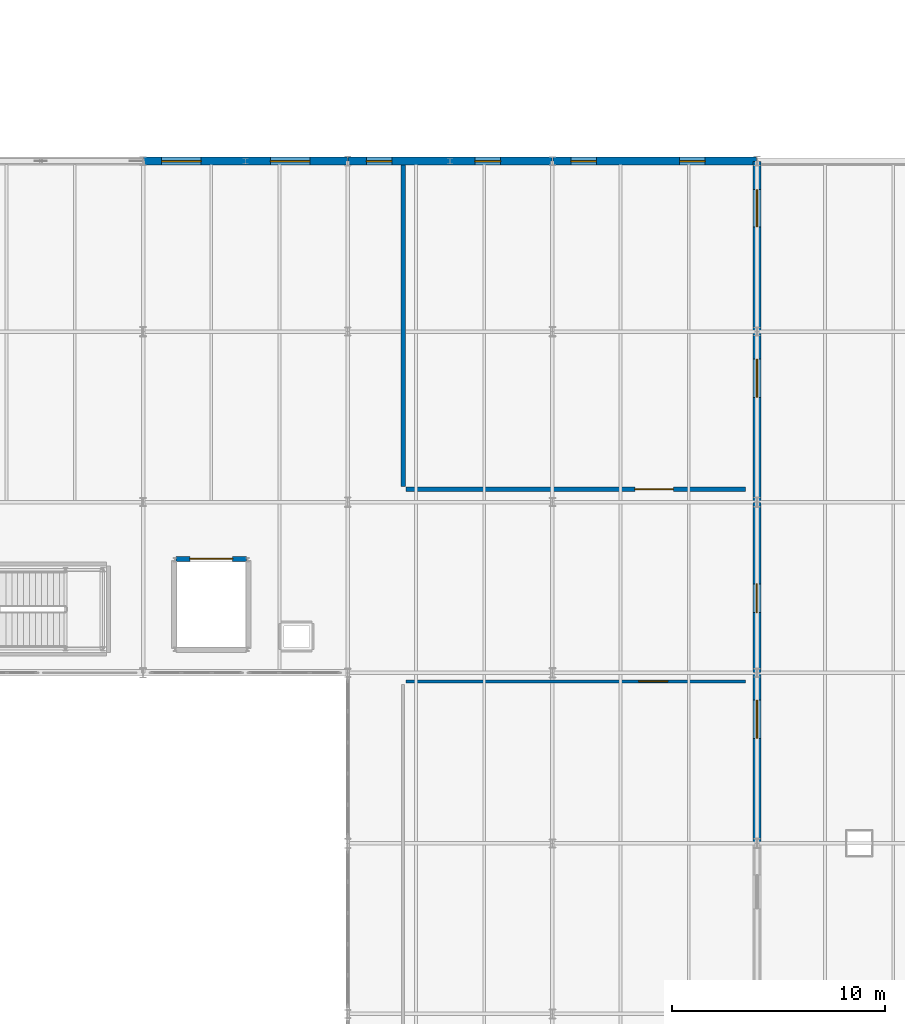
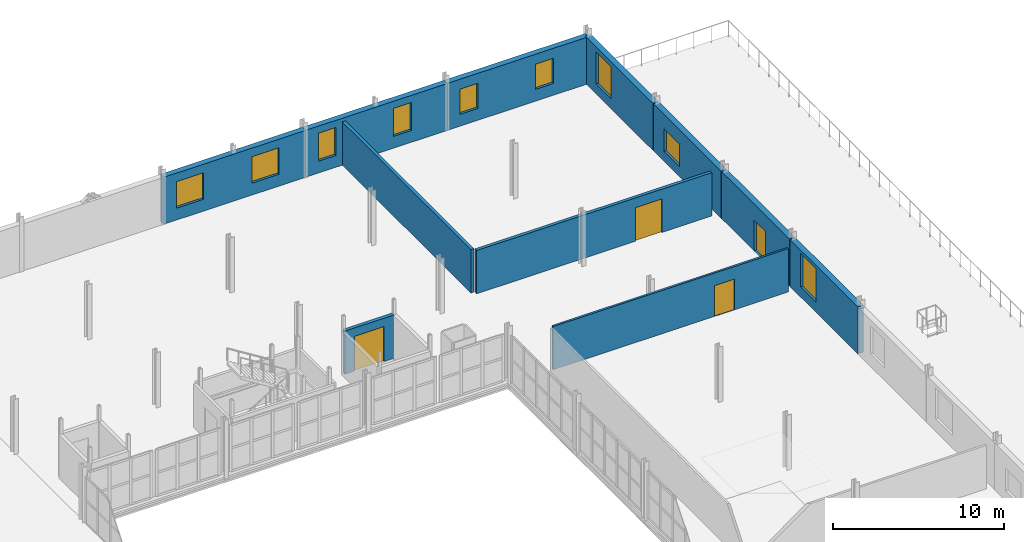
# One storey, part 76 of 85: 11 walls, 9 windows, 4 doors, 13 openings.
"""IFC4 building model written with IfcOpenShell, lengths in metres."""

from ifc_helpers import new_model, si_unit, direction, frame, frame_2d, origin, place, context, subcontext, project, spatial, rectangle, extrude, material, layer, layer_set, type_object, element, fill, save


model = new_model("IFC4")

# Units and contexts
model_context = context("Model", 3, precision=1e-05, world=origin(), true_north=direction((0.0, 1.0)))
body_context = subcontext(model_context, "Body", "Model", "MODEL_VIEW")
ifc_project = project(units=[si_unit("LENGTHUNIT", "METRE"), si_unit("AREAUNIT", "SQUARE_METRE"), si_unit("VOLUMEUNIT", "CUBIC_METRE"), si_unit("PLANEANGLEUNIT", "RADIAN"), si_unit("MASSUNIT", "GRAM", prefix="KILO")], contexts=[model_context])

# Site, building, storey
site_placement = place(None, origin())
site = spatial("IfcSite", under=ifc_project, at=site_placement, CompositionType="ELEMENT")
building_placement = place(site_placement, origin())
building = spatial("IfcBuilding", under=site, at=building_placement, Name="Alderhovde Museum", CompositionType="ELEMENT")
storey_placement = place(building_placement, frame((0.0, 0.0, 8.699951171875)))
storey = spatial("IfcBuildingStorey", under=building, at=storey_placement, Name="L02", CompositionType="ELEMENT", Elevation=8.699951171875)

# Wall, openings, windows
ifc_material_1 = material(Name="Fluted Jura Limestone Beaux-Arts Wall", Category="masonry")
ifc_layer_1 = layer(ifc_material_1, 0.3798828125)
ifc_layer_set_1 = layer_set([ifc_layer_1], Name="Fluted Jura Limestone Beaux-Arts Wall")
wall_type_1 = type_object("IfcWallType", Name="EW-LIME-380", PredefinedType="SOLIDWALL", material=ifc_layer_set_1)
wall_1_placement = place(storey_placement, frame((134.419921875, 96.0, 0.0), z_axis=(0.0, 0.0, 1.0), x_axis=(1.0, 0.0, 0.0)))
wall_1 = element("IfcWall", 1, at=wall_1_placement, inside=storey, type_object=wall_type_1, Name="L02 Conservation North Beaux-Arts Wall 222", PredefinedType="SOLIDWALL", context=body_context, shape_type="SweptSolid", body=[
    extrude(rectangle(XDim=9.56005859375, YDim=0.3798828125, at=frame_2d((4.780029296875, 0.0))), origin(), (0.0, 0.0, 1.0), 3.360107421875),
])
opening_1_placement = place(wall_1_placement, frame((0.85009765625, 0.0, 0.85009765625)))
opening_1 = element("IfcOpeningElement", 2, at=opening_1_placement, cuts=wall_1, Name="Opening W27", PredefinedType="OPENING", context=body_context, shape_type="SweptSolid", body=[
    extrude(rectangle(XDim=1.85009765625, YDim=1.89990234375, at=frame_2d((0.925048828125, 0.949951171875))), frame((0.0, 0.199951171875, 0.0), z_axis=(0.0, -1.0, 0.0), x_axis=(1.0, 0.0, 0.0)), (0.0, 0.0, 1.0), 0.39990234375),
])
opening_2_placement = place(wall_1_placement, frame((5.949951171875, 0.0, 0.85009765625)))
opening_2 = element("IfcOpeningElement", 3, at=opening_2_placement, cuts=wall_1, Name="Opening W27", PredefinedType="OPENING", context=body_context, shape_type="SweptSolid", body=[
    extrude(rectangle(XDim=1.85009765625, YDim=1.89990234375, at=frame_2d((0.925048828125, 0.949951171875))), frame((0.0, 0.199951171875, 0.0), z_axis=(0.0, -1.0, 0.0), x_axis=(1.0, 0.0, 0.0)), (0.0, 0.0, 1.0), 0.39990234375),
])
ifc_material_2 = material(Name="Triple-Glazed Low-E Bronze-Anodised Aluminium", Category="aluminium")
window_type_1 = type_object("IfcWindowType", Name="WIN-LAB-1850x1900", PartitioningType="DOUBLE_PANEL_VERTICAL", PredefinedType="WINDOW", material=ifc_material_2)
window_1_placement = place(opening_1_placement, origin())
window_1 = element("IfcWindow", 4, at=window_1_placement, inside=storey, type_object=window_type_1, Name="L02 Facade Window 207", OverallHeight=1.89990234375, OverallWidth=1.85009765625, PartitioningType="SINGLE_PANEL", PredefinedType="WINDOW", context=body_context, shape_type="SweptSolid", body=[
    extrude(rectangle(XDim=1.85009765625, YDim=1.89990234375, at=frame_2d((0.925048828125, 0.949951171875))), frame((0.0, 0.030029296875, 0.0), z_axis=(0.0, -1.0, 0.0), x_axis=(1.0, 0.0, 0.0)), (0.0, 0.0, 1.0), 0.06005859375),
])
fill(opening_1, window_1)
window_2_placement = place(opening_2_placement, origin())
window_2 = element("IfcWindow", 5, at=window_2_placement, inside=storey, type_object=window_type_1, Name="L02 Facade Window 208", OverallHeight=1.89990234375, OverallWidth=1.85009765625, PartitioningType="SINGLE_PANEL", PredefinedType="WINDOW", context=body_context, shape_type="SweptSolid", body=[
    extrude(rectangle(XDim=1.85009765625, YDim=1.89990234375, at=frame_2d((0.925048828125, 0.949951171875))), frame((0.0, 0.030029296875, 0.0), z_axis=(0.0, -1.0, 0.0), x_axis=(1.0, 0.0, 0.0)), (0.0, 0.0, 1.0), 0.06005859375),
])
fill(opening_2, window_2)

wall_2_placement = place(storey_placement, frame((144.02001953125, 96.0, 0.0), z_axis=(0.0, 0.0, 1.0), x_axis=(1.0, 0.0, 0.0)))
wall_2 = element("IfcWall", 6, at=wall_2_placement, inside=storey, type_object=wall_type_1, Name="L02 Conservation North Beaux-Arts Wall 223", PredefinedType="SOLIDWALL", context=body_context, shape_type="SweptSolid", body=[
    extrude(rectangle(XDim=9.56005859375, YDim=0.3798828125, at=frame_2d((4.780029296875, 0.0))), origin(), (0.0, 0.0, 1.0), 3.360107421875),
])
opening_3_placement = place(wall_2_placement, frame((0.85009765625, 0.0, 0.85009765625)))
opening_3 = element("IfcOpeningElement", 7, at=opening_3_placement, cuts=wall_2, Name="Opening W18", PredefinedType="OPENING", context=body_context, shape_type="SweptSolid", body=[
    extrude(rectangle(XDim=1.199951171875, YDim=2.0, at=frame_2d((0.60009765625, 1.0))), frame((0.0, 0.199951171875, 0.0), z_axis=(0.0, -1.0, 0.0), x_axis=(1.0, 0.0, 0.0)), (0.0, 0.0, 1.0), 0.39990234375),
])
opening_4_placement = place(wall_2_placement, frame((5.949951171875, 0.0, 0.85009765625)))
opening_4 = element("IfcOpeningElement", 8, at=opening_4_placement, cuts=wall_2, Name="Opening W18", PredefinedType="OPENING", context=body_context, shape_type="SweptSolid", body=[
    extrude(rectangle(XDim=1.199951171875, YDim=2.0, at=frame_2d((0.60009765625, 1.0))), frame((0.0, 0.199951171875, 0.0), z_axis=(0.0, -1.0, 0.0), x_axis=(1.0, 0.0, 0.0)), (0.0, 0.0, 1.0), 0.39990234375),
])
ifc_material_3 = material(Name="Triple-Glazed Low-E Bronze-Anodised Aluminium", Category="aluminium")
window_type_2 = type_object("IfcWindowType", Name="WIN-LAB-1200x2000", PartitioningType="SINGLE_PANEL", PredefinedType="WINDOW", material=ifc_material_3)
window_3_placement = place(opening_3_placement, origin())
window_3 = element("IfcWindow", 9, at=window_3_placement, inside=storey, type_object=window_type_2, Name="L02 Facade Window 209", OverallHeight=2.0, OverallWidth=1.199951171875, PartitioningType="SINGLE_PANEL", PredefinedType="WINDOW", context=body_context, shape_type="SweptSolid", body=[
    extrude(rectangle(XDim=1.199951171875, YDim=2.0, at=frame_2d((0.60009765625, 1.0))), frame((0.0, 0.030029296875, 0.0), z_axis=(0.0, -1.0, 0.0), x_axis=(1.0, 0.0, 0.0)), (0.0, 0.0, 1.0), 0.06005859375),
])
fill(opening_3, window_3)
window_4_placement = place(opening_4_placement, origin())
window_4 = element("IfcWindow", 10, at=window_4_placement, inside=storey, type_object=window_type_2, Name="L02 Facade Window 210", OverallHeight=2.0, OverallWidth=1.199951171875, PartitioningType="SINGLE_PANEL", PredefinedType="WINDOW", context=body_context, shape_type="SweptSolid", body=[
    extrude(rectangle(XDim=1.199951171875, YDim=2.0, at=frame_2d((0.60009765625, 1.0))), frame((0.0, 0.030029296875, 0.0), z_axis=(0.0, -1.0, 0.0), x_axis=(1.0, 0.0, 0.0)), (0.0, 0.0, 1.0), 0.06005859375),
])
fill(opening_4, window_4)

wall_3_placement = place(storey_placement, frame((153.6201171875, 96.0, 0.0), z_axis=(0.0, 0.0, 1.0), x_axis=(1.0, 0.0, 0.0)))
wall_3 = element("IfcWall", 11, at=wall_3_placement, inside=storey, type_object=wall_type_1, Name="L02 Conservation North Beaux-Arts Wall 224", PredefinedType="SOLIDWALL", context=body_context, shape_type="SweptSolid", body=[
    extrude(rectangle(XDim=9.559814453125, YDim=0.3798828125, at=frame_2d((4.77978515625, 0.0))), origin(), (0.0, 0.0, 1.0), 3.360107421875),
])
opening_5_placement = place(wall_3_placement, frame((0.85009765625, 0.0, 0.85009765625)))
opening_5 = element("IfcOpeningElement", 12, at=opening_5_placement, cuts=wall_3, Name="Opening W14", PredefinedType="OPENING", context=body_context, shape_type="SweptSolid", body=[
    extrude(rectangle(XDim=1.199951171875, YDim=1.800048828125, at=frame_2d((0.60009765625, 0.89990234375))), frame((0.0, 0.199951171875, 0.0), z_axis=(0.0, -1.0, 0.0), x_axis=(1.0, 0.0, 0.0)), (0.0, 0.0, 1.0), 0.39990234375),
])
opening_6_placement = place(wall_3_placement, frame((5.949951171875, 0.0, 0.85009765625)))
opening_6 = element("IfcOpeningElement", 13, at=opening_6_placement, cuts=wall_3, Name="Opening W14", PredefinedType="OPENING", context=body_context, shape_type="SweptSolid", body=[
    extrude(rectangle(XDim=1.199951171875, YDim=1.800048828125, at=frame_2d((0.60009765625, 0.89990234375))), frame((0.0, 0.199951171875, 0.0), z_axis=(0.0, -1.0, 0.0), x_axis=(1.0, 0.0, 0.0)), (0.0, 0.0, 1.0), 0.39990234375),
])
ifc_material_4 = material(Name="Triple-Glazed Low-E Bronze-Anodised Aluminium", Category="aluminium")
window_type_3 = type_object("IfcWindowType", Name="WIN-ATT-1200x1800", PartitioningType="SINGLE_PANEL", PredefinedType="WINDOW", material=ifc_material_4)
window_5_placement = place(opening_5_placement, origin())
window_5 = element("IfcWindow", 14, at=window_5_placement, inside=storey, type_object=window_type_3, Name="L02 Facade Window 211", OverallHeight=1.800048828125, OverallWidth=1.199951171875, PartitioningType="SINGLE_PANEL", PredefinedType="WINDOW", context=body_context, shape_type="SweptSolid", body=[
    extrude(rectangle(XDim=1.199951171875, YDim=1.800048828125, at=frame_2d((0.60009765625, 0.89990234375))), frame((0.0, 0.030029296875, 0.0), z_axis=(0.0, -1.0, 0.0), x_axis=(1.0, 0.0, 0.0)), (0.0, 0.0, 1.0), 0.06005859375),
])
fill(opening_5, window_5)
window_6_placement = place(opening_6_placement, origin())
window_6 = element("IfcWindow", 15, at=window_6_placement, inside=storey, type_object=window_type_3, Name="L02 Facade Window 212", OverallHeight=1.800048828125, OverallWidth=1.199951171875, PartitioningType="SINGLE_PANEL", PredefinedType="WINDOW", context=body_context, shape_type="SweptSolid", body=[
    extrude(rectangle(XDim=1.199951171875, YDim=1.800048828125, at=frame_2d((0.60009765625, 0.89990234375))), frame((0.0, 0.030029296875, 0.0), z_axis=(0.0, -1.0, 0.0), x_axis=(1.0, 0.0, 0.0)), (0.0, 0.0, 1.0), 0.06005859375),
])
fill(opening_6, window_6)

# Wall, opening, window
wall_4_placement = place(storey_placement, frame((163.199951171875, 64.02001953125, 0.0), z_axis=(0.0, 0.0, 1.0), x_axis=(0.0, 1.0, 0.0)))
wall_4 = element("IfcWall", 16, at=wall_4_placement, inside=storey, type_object=wall_type_1, Name="L02 Conservation East Hillside Wall 229", PredefinedType="SOLIDWALL", context=body_context, shape_type="SweptSolid", body=[
    extrude(rectangle(XDim=7.9599609375, YDim=0.3798828125, at=frame_2d((3.97998046875, 0.0))), origin(), (0.0, 0.0, 1.0), 3.360107421875),
])
opening_7_placement = place(wall_4_placement, frame((4.89990234375, 0.0, 0.719970703125)))
opening_7 = element("IfcOpeningElement", 17, at=opening_7_placement, cuts=wall_4, Name="Opening W05", PredefinedType="OPENING", context=body_context, shape_type="SweptSolid", body=[
    extrude(rectangle(XDim=1.800048828125, YDim=2.39990234375, at=frame_2d((0.89990234375, 1.199951171875))), frame((0.0, 0.199951171875, 0.0), z_axis=(0.0, -1.0, 0.0), x_axis=(1.0, 0.0, 0.0)), (0.0, 0.0, 1.0), 0.39990234375),
])
ifc_material_5 = material(Name="Triple-Glazed Low-E Bronze-Anodised Aluminium", Category="aluminium")
window_type_4 = type_object("IfcWindowType", Name="WIN-BA-1800x2400", PartitioningType="DOUBLE_PANEL_VERTICAL", PredefinedType="WINDOW", material=ifc_material_5)
window_7_placement = place(opening_7_placement, origin())
window_7 = element("IfcWindow", 18, at=window_7_placement, inside=storey, type_object=window_type_4, Name="L02 Facade Window 217", OverallHeight=2.39990234375, OverallWidth=1.800048828125, PartitioningType="SINGLE_PANEL", PredefinedType="WINDOW", context=body_context, shape_type="SweptSolid", body=[
    extrude(rectangle(XDim=1.800048828125, YDim=2.39990234375, at=frame_2d((0.89990234375, 1.199951171875))), frame((0.0, 0.030029296875, 0.0), z_axis=(0.0, -1.0, 0.0), x_axis=(1.0, 0.0, 0.0)), (0.0, 0.0, 1.0), 0.06005859375),
])
fill(opening_7, window_7)

# Wall, opening, door
wall_5_placement = place(storey_placement, frame((163.199951171875, 72.02001953125, 0.0), z_axis=(0.0, 0.0, 1.0), x_axis=(0.0, 1.0, 0.0)))
wall_5 = element("IfcWall", 19, at=wall_5_placement, inside=storey, type_object=wall_type_1, Name="L02 Conservation East Hillside Wall 230", PredefinedType="SOLIDWALL", context=body_context, shape_type="SweptSolid", body=[
    extrude(rectangle(XDim=7.9599609375, YDim=0.3798828125, at=frame_2d((3.97998046875, 0.0))), origin(), (0.0, 0.0, 1.0), 3.360107421875),
])
opening_8_placement = place(wall_5_placement, frame((2.800048828125, 0.0, 0.0)))
opening_8 = element("IfcOpeningElement", 20, at=opening_8_placement, cuts=wall_5, Name="Opening BDR4", PredefinedType="OPENING", context=body_context, shape_type="SweptSolid", body=[
    extrude(rectangle(XDim=1.35009765625, YDim=2.199951171875, at=frame_2d((0.675048828125, 1.10009765625))), frame((0.0, 0.199951171875, 0.0), z_axis=(0.0, -1.0, 0.0), x_axis=(1.0, 0.0, 0.0)), (0.0, 0.0, 1.0), 0.39990234375),
])
ifc_material_6 = material(Name="Thermally Broken Bronze-Anodised Aluminium and Laminated Glass", Category="aluminium")
door_type_1 = type_object("IfcDoorType", Name="DR-TER-1350x2200", OperationType="NOTDEFINED", PredefinedType="DOOR", material=ifc_material_6)
door_1_placement = place(opening_8_placement, origin())
door_1 = element("IfcDoor", 21, at=door_1_placement, inside=storey, type_object=door_type_1, Name="L02 East Hillside Terrace Door", OperationType="SINGLE_SWING_RIGHT", OverallHeight=2.199951171875, OverallWidth=1.35009765625, PredefinedType="DOOR", context=body_context, shape_type="SweptSolid", body=[
    extrude(rectangle(XDim=1.35009765625, YDim=2.199951171875, at=frame_2d((0.675048828125, 1.10009765625))), frame((0.0, 0.02490234375, 0.0), z_axis=(0.0, -1.0, 0.0), x_axis=(1.0, 0.0, 0.0)), (0.0, 0.0, 1.0), 0.050048828125),
])
fill(opening_8, door_1)

# Wall, opening, window
wall_6_placement = place(storey_placement, frame((163.199951171875, 80.02001953125, 0.0), z_axis=(0.0, 0.0, 1.0), x_axis=(0.0, 1.0, 0.0)))
wall_6 = element("IfcWall", 22, at=wall_6_placement, inside=storey, type_object=wall_type_1, Name="L02 Conservation East Hillside Wall 231", PredefinedType="SOLIDWALL", context=body_context, shape_type="SweptSolid", body=[
    extrude(rectangle(XDim=7.9599609375, YDim=0.3798828125, at=frame_2d((3.97998046875, 0.0))), origin(), (0.0, 0.0, 1.0), 3.360107421875),
])
opening_9_placement = place(wall_6_placement, frame((4.89990234375, 0.0, 0.719970703125)))
opening_9 = element("IfcOpeningElement", 23, at=opening_9_placement, cuts=wall_6, Name="Opening W13", PredefinedType="OPENING", context=body_context, shape_type="SweptSolid", body=[
    extrude(rectangle(XDim=1.800048828125, YDim=1.60009765625, at=frame_2d((0.89990234375, 0.800048828125))), frame((0.0, 0.199951171875, 0.0), z_axis=(0.0, -1.0, 0.0), x_axis=(1.0, 0.0, 0.0)), (0.0, 0.0, 1.0), 0.39990234375),
])
ifc_material_7 = material(Name="Triple-Glazed Low-E Bronze-Anodised Aluminium", Category="aluminium")
window_type_5 = type_object("IfcWindowType", Name="WIN-ATT-1800x1600", PartitioningType="DOUBLE_PANEL_VERTICAL", PredefinedType="WINDOW", material=ifc_material_7)
window_8_placement = place(opening_9_placement, origin())
window_8 = element("IfcWindow", 24, at=window_8_placement, inside=storey, type_object=window_type_5, Name="L02 Facade Window 218", OverallHeight=1.60009765625, OverallWidth=1.800048828125, PartitioningType="SINGLE_PANEL", PredefinedType="WINDOW", context=body_context, shape_type="SweptSolid", body=[
    extrude(rectangle(XDim=1.800048828125, YDim=1.60009765625, at=frame_2d((0.89990234375, 0.800048828125))), frame((0.0, 0.030029296875, 0.0), z_axis=(0.0, -1.0, 0.0), x_axis=(1.0, 0.0, 0.0)), (0.0, 0.0, 1.0), 0.06005859375),
])
fill(opening_9, window_8)

wall_7_placement = place(storey_placement, frame((163.199951171875, 88.02001953125, 0.0), z_axis=(0.0, 0.0, 1.0), x_axis=(0.0, 1.0, 0.0)))
wall_7 = element("IfcWall", 25, at=wall_7_placement, inside=storey, type_object=wall_type_1, Name="L02 Conservation East Hillside Wall 232", PredefinedType="SOLIDWALL", context=body_context, shape_type="SweptSolid", body=[
    extrude(rectangle(XDim=7.9599609375, YDim=0.3798828125, at=frame_2d((3.97998046875, 0.0))), origin(), (0.0, 0.0, 1.0), 3.360107421875),
])
opening_10_placement = place(wall_7_placement, frame((4.89990234375, 0.0, 0.719970703125)))
opening_10 = element("IfcOpeningElement", 26, at=opening_10_placement, cuts=wall_7, Name="Opening W26", PredefinedType="OPENING", context=body_context, shape_type="SweptSolid", body=[
    extrude(rectangle(XDim=1.75, YDim=2.300048828125, at=frame_2d((0.875, 1.14990234375))), frame((0.0, 0.199951171875, 0.0), z_axis=(0.0, -1.0, 0.0), x_axis=(1.0, 0.0, 0.0)), (0.0, 0.0, 1.0), 0.39990234375),
])
ifc_material_8 = material(Name="Triple-Glazed Low-E Bronze-Anodised Aluminium", Category="aluminium")
window_type_6 = type_object("IfcWindowType", Name="WIN-BA-1750x2300", PartitioningType="DOUBLE_PANEL_VERTICAL", PredefinedType="WINDOW", material=ifc_material_8)
window_9_placement = place(opening_10_placement, origin())
window_9 = element("IfcWindow", 27, at=window_9_placement, inside=storey, type_object=window_type_6, Name="L02 Facade Window 219", OverallHeight=2.300048828125, OverallWidth=1.75, PartitioningType="SINGLE_PANEL", PredefinedType="WINDOW", context=body_context, shape_type="SweptSolid", body=[
    extrude(rectangle(XDim=1.75, YDim=2.300048828125, at=frame_2d((0.875, 1.14990234375))), frame((0.0, 0.030029296875, 0.0), z_axis=(0.0, -1.0, 0.0), x_axis=(1.0, 0.0, 0.0)), (0.0, 0.0, 1.0), 0.06005859375),
])
fill(opening_10, window_9)

# Wall, opening, door
ifc_material_9 = material(Name="Fire-Resisting Masonry Compartment Wall", Category="masonry")
ifc_layer_2 = layer(ifc_material_9, 0.2099609375)
ifc_layer_set_2 = layer_set([ifc_layer_2], Name="Fire-Resisting Masonry Compartment Wall")
wall_type_2 = type_object("IfcWallType", Name="IW-FIRE-210", PredefinedType="SOLIDWALL", material=ifc_layer_set_2)
wall_8_placement = place(storey_placement, frame((146.739990234375, 80.60009765625, 0.0), z_axis=(0.0, 0.0, 1.0), x_axis=(1.0, 0.0, 0.0)))
wall_8 = element("IfcWall", 28, at=wall_8_placement, inside=storey, type_object=wall_type_2, Name="L02 Curatorial Study Archive Partition Wall S", PredefinedType="SOLIDWALL", context=body_context, shape_type="SweptSolid", body=[
    extrude(rectangle(XDim=15.919921875, YDim=0.2099609375, at=frame_2d((7.9599609375, 0.0))), origin(), (0.0, 0.0, 1.0), 3.10009765625),
])
opening_11_placement = place(wall_8_placement, frame((10.736083984375, 0.0, 0.0)))
opening_11 = element("IfcOpeningElement", 29, at=opening_11_placement, cuts=wall_8, Name="Opening FD-2", PredefinedType="OPENING", context=body_context, shape_type="SweptSolid", body=[
    extrude(rectangle(XDim=1.800048828125, YDim=2.39990234375, at=frame_2d((0.89990234375, 1.199951171875))), frame((0.0, 0.114990234375, 0.0), z_axis=(0.0, -1.0, 0.0), x_axis=(1.0, 0.0, 0.0)), (0.0, 0.0, 1.0), 0.22998046875),
])
ifc_material_10 = material(Name="Fire-Rated Double Archive Vault Door (Steel/Oak)", Category="steel")
door_type_2 = type_object("IfcDoorType", Name="FD-ARCH-1800x2400", OperationType="NOTDEFINED", PredefinedType="DOOR", material=ifc_material_10)
door_2_placement = place(opening_11_placement, origin())
door_2 = element("IfcDoor", 30, at=door_2_placement, inside=storey, type_object=door_type_2, Name="L02 Curatorial Study Archive Door", OperationType="DOUBLE_DOOR_SINGLE_SWING", OverallHeight=2.39990234375, OverallWidth=1.800048828125, PredefinedType="DOOR", context=body_context, shape_type="SweptSolid", body=[
    extrude(rectangle(XDim=1.800048828125, YDim=2.39990234375, at=frame_2d((0.89990234375, 1.199951171875))), frame((0.0, 0.02490234375, 0.0), z_axis=(0.0, -1.0, 0.0), x_axis=(1.0, 0.0, 0.0)), (0.0, 0.0, 1.0), 0.050048828125),
])
fill(opening_11, door_2)

# Wall
wall_9_placement = place(storey_placement, frame((146.60009765625, 80.739990234375, 0.0), z_axis=(0.0, 0.0, 1.0), x_axis=(0.0, 1.0, 0.0)))
element("IfcWall", 31, at=wall_9_placement, inside=storey, type_object=wall_type_2, Name="L02 Curatorial Study Archive Partition Wall W", PredefinedType="SOLIDWALL", context=body_context, shape_type="SweptSolid", body=[
    extrude(rectangle(XDim=15.090087890625, YDim=0.2099609375, at=frame_2d((7.544921875, 0.0))), origin(), (0.0, 0.0, 1.0), 3.10009765625),
])

# Wall, opening, door
ifc_material_11 = material(Name="Hygienic Conservation Laboratory Partition")
ifc_layer_3 = layer(ifc_material_11, 0.139892578125)
ifc_layer_set_3 = layer_set([ifc_layer_3], Name="Hygienic Conservation Laboratory Partition")
wall_type_3 = type_object("IfcWallType", Name="IW-LAB-140", PredefinedType="PARTITIONING", material=ifc_layer_set_3)
wall_10_placement = place(storey_placement, frame((146.739990234375, 71.60009765625, 0.0), z_axis=(0.0, 0.0, 1.0), x_axis=(1.0, 0.0, 0.0)))
wall_10 = element("IfcWall", 32, at=wall_10_placement, inside=storey, type_object=wall_type_3, Name="L02 Textile and Paper Conservation Studio Partition Wall N", PredefinedType="PARTITIONING", context=body_context, shape_type="SweptSolid", body=[
    extrude(rectangle(XDim=15.919921875, YDim=0.139892578125, at=frame_2d((7.9599609375, 0.0))), origin(), (0.0, 0.0, 1.0), 3.10009765625),
])
opening_12_placement = place(wall_10_placement, frame((10.9189453125, 0.0, 0.0)))
opening_12 = element("IfcOpeningElement", 33, at=opening_12_placement, cuts=wall_10, Name="Opening FD-4", PredefinedType="OPENING", context=body_context, shape_type="SweptSolid", body=[
    extrude(rectangle(XDim=1.35009765625, YDim=2.199951171875, at=frame_2d((0.675048828125, 1.10009765625))), frame((0.0, 0.080078125, 0.0), z_axis=(0.0, -1.0, 0.0), x_axis=(1.0, 0.0, 0.0)), (0.0, 0.0, 1.0), 0.159912109375),
])
ifc_material_12 = material(Name="Fire-Rated Conservation Lab Door (Steel/Oak)", Category="steel")
door_type_3 = type_object("IfcDoorType", Name="FD-LAB-1350x2200", OperationType="NOTDEFINED", PredefinedType="DOOR", material=ifc_material_12)
door_3_placement = place(opening_12_placement, origin())
door_3 = element("IfcDoor", 34, at=door_3_placement, inside=storey, type_object=door_type_3, Name="L02 Textile and Paper Conservation Studio Door", OperationType="SINGLE_SWING_LEFT", OverallHeight=2.199951171875, OverallWidth=1.35009765625, PredefinedType="DOOR", context=body_context, shape_type="SweptSolid", body=[
    extrude(rectangle(XDim=1.35009765625, YDim=2.199951171875, at=frame_2d((0.675048828125, 1.10009765625))), frame((0.0, 0.02490234375, 0.0), z_axis=(0.0, -1.0, 0.0), x_axis=(1.0, 0.0, 0.0)), (0.0, 0.0, 1.0), 0.050048828125),
])
fill(opening_12, door_3)

ifc_material_13 = material(Name="Concrete C40/50 and Fireboard Shaft Wall", Category="concrete")
ifc_layer_4 = layer(ifc_material_13, 0.22998046875)
ifc_layer_set_4 = layer_set([ifc_layer_4], Name="Concrete C40/50 and Fireboard Shaft Wall")
wall_type_4 = type_object("IfcWallType", Name="IW-SHAFT-230", PredefinedType="SOLIDWALL", material=ifc_layer_set_4)
wall_11_placement = place(storey_placement, frame((135.93994140625, 77.340087890625, 0.0), z_axis=(0.0, 0.0, 1.0), x_axis=(1.0, 0.0, 0.0)))
wall_11 = element("IfcWall", 35, at=wall_11_placement, inside=storey, type_object=wall_type_4, Name="L02 Goods Lift Shaft Wall North", PredefinedType="SOLIDWALL", context=body_context, shape_type="SweptSolid", body=[
    extrude(rectangle(XDim=3.320068359375, YDim=0.22998046875, at=frame_2d((1.66015625, 0.0))), origin(), (0.0, 0.0, 1.0), 3.10009765625),
])
opening_13_placement = place(wall_11_placement, frame((0.659912109375, 0.0, 0.0)))
opening_13 = element("IfcOpeningElement", 36, at=opening_13_placement, cuts=wall_11, Name="Opening LD-2", PredefinedType="OPENING", context=body_context, shape_type="SweptSolid", body=[
    extrude(rectangle(XDim=2.0, YDim=2.5, at=frame_2d((1.0, 1.25))), frame((0.0, 0.125, 0.0), z_axis=(0.0, -1.0, 0.0), x_axis=(1.0, 0.0, 0.0)), (0.0, 0.0, 1.0), 0.25),
])
ifc_material_14 = material(Name="Goods Lift Sliding Landing Door (Steel/Oak)", Category="steel")
door_type_4 = type_object("IfcDoorType", Name="LD-GOODS-2000x2500", OperationType="SLIDING_TO_RIGHT", PredefinedType="DOOR", material=ifc_material_14)
door_4_placement = place(opening_13_placement, origin())
door_4 = element("IfcDoor", 37, at=door_4_placement, inside=storey, type_object=door_type_4, Name="L02 Goods Lift Landing Door", OperationType="SLIDING_TO_RIGHT", OverallHeight=2.5, OverallWidth=2.0, PredefinedType="DOOR", context=body_context, shape_type="SweptSolid", body=[
    extrude(rectangle(XDim=2.0, YDim=2.5, at=frame_2d((1.0, 1.25))), frame((0.0, 0.02490234375, 0.0), z_axis=(0.0, -1.0, 0.0), x_axis=(1.0, 0.0, 0.0)), (0.0, 0.0, 1.0), 0.050048828125),
])
fill(opening_13, door_4)

save(model, "model.ifc")
